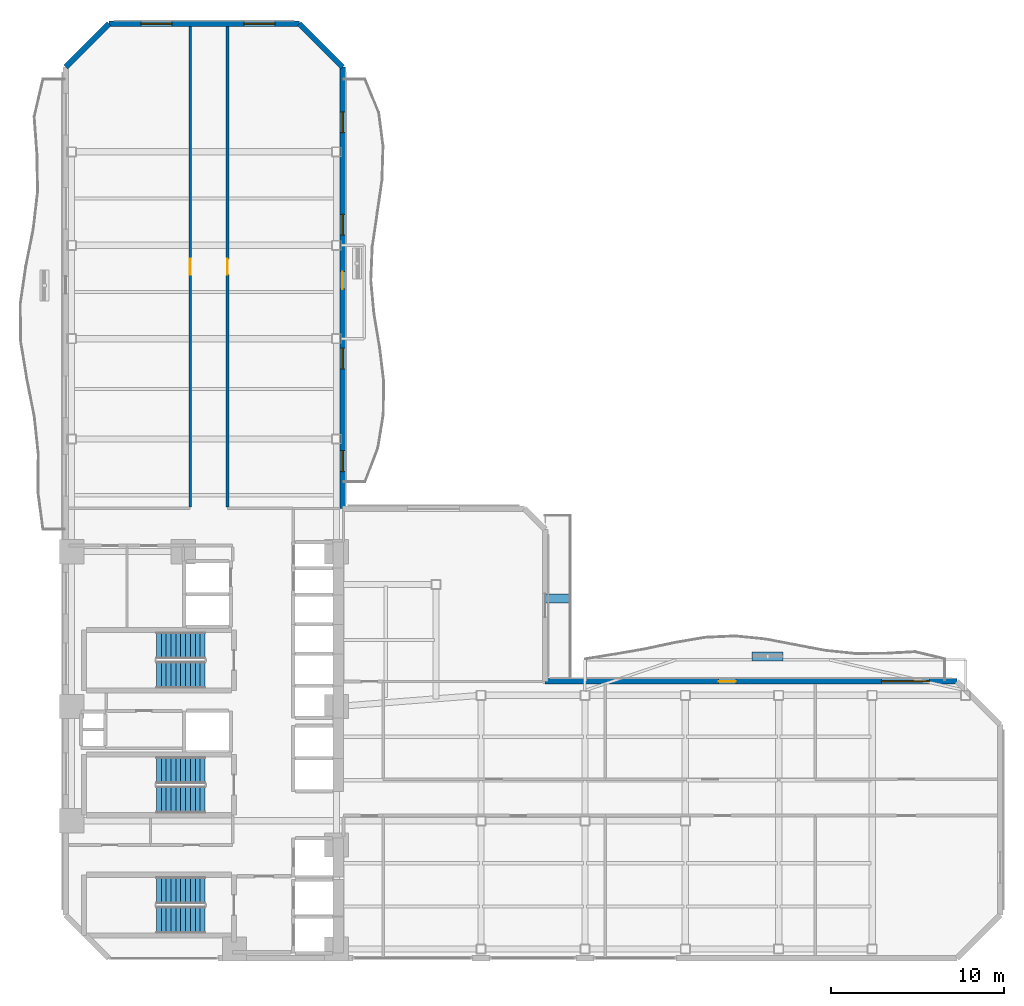
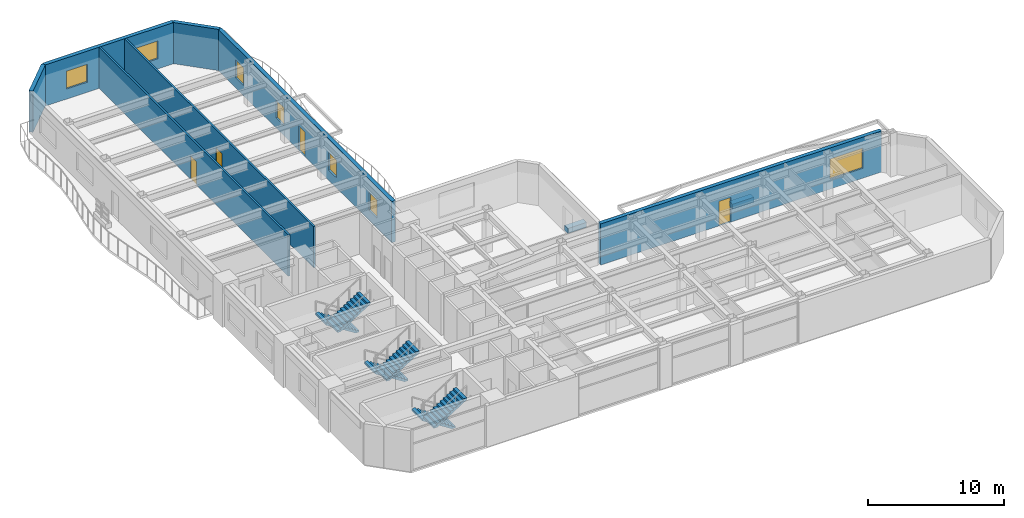
# One storey, part 12 of 17: 7 walls, 7 windows, 6 stair flights, 4 doors, 2 discrete accessories, 11 openings, 3 elements without a shape of their own.
"""IFC4 building model written with IfcOpenShell, lengths in metres."""

from ifc_helpers import new_model, si_unit, direction, frame, frame_2d, origin, origin_2d, place, context, subcontext, project, spatial, polyline, rectangle, outline, extrude, material, layer, layer_set, type_object, element, fill, aggregate, save


model = new_model("IFC4")

# Units and contexts
model_context = context("Model", 3, precision=1e-05, world=origin(), true_north=direction((0.0, 1.0)))
body_context = subcontext(model_context, "Body", "Model", "MODEL_VIEW")
ifc_project = project(units=[si_unit("LENGTHUNIT", "METRE"), si_unit("AREAUNIT", "SQUARE_METRE"), si_unit("VOLUMEUNIT", "CUBIC_METRE"), si_unit("PLANEANGLEUNIT", "RADIAN"), si_unit("MASSUNIT", "GRAM", prefix="KILO")], contexts=[model_context])

# Site, building, storey
site_placement = place(None, origin())
site = spatial("IfcSite", under=ifc_project, at=site_placement, CompositionType="ELEMENT")
building_placement = place(site_placement, origin())
building = spatial("IfcBuilding", under=site, at=building_placement, Name="Mawjaban Terraces University", CompositionType="ELEMENT")
storey_placement = place(building_placement, frame((0.0, 0.0, 70.0)))
storey = spatial("IfcBuildingStorey", under=building, at=storey_placement, Name="L16", CompositionType="ELEMENT", Elevation=70.0)

# Wall, opening, door
ifc_material_1 = material(Name="Fire-rated gypsum board on steel stud", Category="steel")
ifc_layer_1 = layer(ifc_material_1, 0.159912109375)
ifc_layer_set_1 = layer_set([ifc_layer_1], Name="Fire-rated gypsum board on steel stud")
wall_type_1 = type_object("IfcWallType", Name="CorridorPartition_160", PredefinedType="PARTITIONING", material=ifc_layer_set_1)
wall_1_placement = place(storey_placement, frame((29.199951171875, 53.844970703125, 0.0), z_axis=(0.0, 0.0, 1.0), x_axis=(0.0, -1.0, 0.0)))
wall_1 = element("IfcWall", 1, at=wall_1_placement, inside=storey, type_object=wall_type_1, Name="L16 North Academic Spine Corridor Partition 26", PredefinedType="PARTITIONING", context=body_context, shape_type="SweptSolid", body=[
    extrude(rectangle(XDim=27.77001953125, YDim=0.159912109375, at=frame_2d((13.885009765625, 0.0))), origin(), (0.0, 0.0, 1.0), 3.68994140625),
])
opening_1_placement = place(wall_1_placement, frame((13.43505859375, 0.0, 0.0)))
opening_1 = element("IfcOpeningElement", 2, at=opening_1_placement, cuts=wall_1, Name="Opening ID-090", PredefinedType="OPENING", context=body_context, shape_type="SweptSolid", body=[
    extrude(rectangle(XDim=0.89990234375, YDim=2.10009765625, at=frame_2d((0.449951171875, 1.050048828125))), frame((0.0, 0.08984375, 0.0), z_axis=(0.0, -1.0, 0.0), x_axis=(1.0, 0.0, 0.0)), (0.0, 0.0, 1.0), 0.179931640625),
])
ifc_material_2 = material(Name="Powder-coated steel frame and solid acoustic timber leaf", Category="steel")
door_type_1 = type_object("IfcDoorType", Name="OfficeDoor_900x2100", OperationType="NOTDEFINED", PredefinedType="DOOR", material=ifc_material_2)
door_1_placement = place(opening_1_placement, origin())
door_1 = element("IfcDoor", 3, at=door_1_placement, inside=storey, type_object=door_type_1, Name="L16 Collaborative Study Room 8 Door", OperationType="SINGLE_SWING_LEFT", OverallHeight=2.10009765625, OverallWidth=0.89990234375, PredefinedType="DOOR", context=body_context, shape_type="SweptSolid", body=[
    extrude(rectangle(XDim=0.89990234375, YDim=2.10009765625, at=frame_2d((0.449951171875, 1.050048828125))), frame((0.0, 0.02490234375, 0.0), z_axis=(0.0, -1.0, 0.0), x_axis=(1.0, 0.0, 0.0)), (0.0, 0.0, 1.0), 0.050048828125),
])
fill(opening_1, door_1)

wall_2_placement = place(storey_placement, frame((31.35009765625, 26.074951171875, 0.0), z_axis=(0.0, 0.0, 1.0), x_axis=(0.0, 1.0, 0.0)))
wall_2 = element("IfcWall", 4, at=wall_2_placement, inside=storey, type_object=wall_type_1, Name="L16 North Academic Spine Corridor Partition 27", PredefinedType="PARTITIONING", context=body_context, shape_type="SweptSolid", body=[
    extrude(rectangle(XDim=27.77001953125, YDim=0.159912109375, at=frame_2d((13.885009765625, 0.0))), origin(), (0.0, 0.0, 1.0), 3.68994140625),
])
opening_2_placement = place(wall_2_placement, frame((13.43505859375, 0.0, 0.0)))
opening_2 = element("IfcOpeningElement", 5, at=opening_2_placement, cuts=wall_2, Name="Opening ID-090", PredefinedType="OPENING", context=body_context, shape_type="SweptSolid", body=[
    extrude(rectangle(XDim=0.89990234375, YDim=2.10009765625, at=frame_2d((0.449951171875, 1.050048828125))), frame((0.0, 0.08984375, 0.0), z_axis=(0.0, -1.0, 0.0), x_axis=(1.0, 0.0, 0.0)), (0.0, 0.0, 1.0), 0.179931640625),
])
door_2_placement = place(opening_2_placement, origin())
door_2 = element("IfcDoor", 6, at=door_2_placement, inside=storey, type_object=door_type_1, Name="L16 Collaborative Study Room 9 Door", OperationType="SINGLE_SWING_RIGHT", OverallHeight=2.10009765625, OverallWidth=0.89990234375, PredefinedType="DOOR", context=body_context, shape_type="SweptSolid", body=[
    extrude(rectangle(XDim=0.89990234375, YDim=2.10009765625, at=frame_2d((0.449951171875, 1.050048828125))), frame((0.0, 0.02490234375, 0.0), z_axis=(0.0, -1.0, 0.0), x_axis=(1.0, 0.0, 0.0)), (0.0, 0.0, 1.0), 0.050048828125),
])
fill(opening_2, door_2)

# Wall, openings, door, window
ifc_material_3 = material(Name="Insulated terracotta rainscreen on concrete backup C40/50", Category="masonry")
ifc_layer_2 = layer(ifc_material_3, 0.320068359375)
ifc_layer_set_2 = layer_set([ifc_layer_2], Name="Insulated terracotta rainscreen on concrete backup C40/50")
wall_type_2 = type_object("IfcWallType", Name="ExtTerracottaWall_320", PredefinedType="SOLIDWALL", material=ifc_layer_set_2)
wall_3_placement = place(storey_placement, frame((73.5, 16.0, 0.0), z_axis=(0.0, 0.0, 1.0), x_axis=(-1.0, 0.0, 0.0)))
wall_3 = element("IfcWall", 7, at=wall_3_placement, inside=storey, type_object=wall_type_2, Name="L16 Exterior Terracotta Wall 5", PredefinedType="SOLIDWALL", context=body_context, shape_type="SweptSolid", body=[
    extrude(rectangle(XDim=23.800048828125, YDim=0.320068359375, at=frame_2d((11.89990234375, 0.0))), origin(), (0.0, 0.0, 1.0), 3.68994140625),
])
opening_3_placement = place(wall_3_placement, frame((12.77490234375, 0.0, 0.0)))
opening_3 = element("IfcOpeningElement", 8, at=opening_3_placement, cuts=wall_3, Name="Opening BD-100", PredefinedType="OPENING", context=body_context, shape_type="SweptSolid", body=[
    extrude(rectangle(XDim=1.0, YDim=2.199951171875, at=frame_2d((0.5, 1.10009765625))), frame((0.0, 0.169921875, 0.0), z_axis=(0.0, -1.0, 0.0), x_axis=(1.0, 0.0, 0.0)), (0.0, 0.0, 1.0), 0.340087890625),
])
opening_4_placement = place(wall_3_placement, frame((1.574951171875, 0.0, 0.89990234375)))
opening_4 = element("IfcOpeningElement", 9, at=opening_4_placement, cuts=wall_3, Name="Opening W-09", PredefinedType="OPENING", context=body_context, shape_type="SweptSolid", body=[
    extrude(rectangle(XDim=2.800048828125, YDim=1.800048828125, at=frame_2d((1.39990234375, 0.89990234375))), frame((0.0, 0.169921875, 0.0), z_axis=(0.0, -1.0, 0.0), x_axis=(1.0, 0.0, 0.0)), (0.0, 0.0, 1.0), 0.340087890625),
])
ifc_material_4 = material(Name="Thermally broken anodised aluminium and laminated safety glass", Category="aluminium")
door_type_2 = type_object("IfcDoorType", Name="BalconyGlazedDoor_1000x2200", OperationType="NOTDEFINED", PredefinedType="DOOR", material=ifc_material_4)
door_3_placement = place(opening_3_placement, origin())
door_3 = element("IfcDoor", 10, at=door_3_placement, inside=storey, type_object=door_type_2, Name="L16 Balcony Access Door inner_north", OperationType="SINGLE_SWING_LEFT", OverallHeight=2.199951171875, OverallWidth=1.0, PredefinedType="DOOR", context=body_context, shape_type="SweptSolid", body=[
    extrude(rectangle(XDim=1.0, YDim=2.199951171875, at=frame_2d((0.5, 1.10009765625))), frame((0.0, 0.02490234375, 0.0), z_axis=(0.0, -1.0, 0.0), x_axis=(1.0, 0.0, 0.0)), (0.0, 0.0, 1.0), 0.050048828125),
])
fill(opening_3, door_3)
ifc_material_5 = material(Name="Low-E solar-control double glazing in thermally broken aluminium frame", Category="aluminium")
window_type_1 = type_object("IfcWindowType", Name="Win_2800x1800", PartitioningType="SINGLE_PANEL", PredefinedType="WINDOW", material=ifc_material_5)
window_1_placement = place(opening_4_placement, origin())
window_1 = element("IfcWindow", 11, at=window_1_placement, inside=storey, type_object=window_type_1, Name="L16 Facade Window 5.1", OverallHeight=1.800048828125, OverallWidth=2.800048828125, PartitioningType="SINGLE_PANEL", PredefinedType="WINDOW", context=body_context, shape_type="SweptSolid", body=[
    extrude(rectangle(XDim=2.800048828125, YDim=1.800048828125, at=frame_2d((1.39990234375, 0.89990234375))), frame((0.0, 0.030029296875, 0.0), z_axis=(0.0, -1.0, 0.0), x_axis=(1.0, 0.0, 0.0)), (0.0, 0.0, 1.0), 0.06005859375),
])
fill(opening_4, window_1)

# Wall, openings, door, windows
wall_4_placement = place(storey_placement, frame((38.0, 25.989990234375, 0.0), z_axis=(0.0, 0.0, 1.0), x_axis=(0.0, 1.0, 0.0)))
wall_4 = element("IfcWall", 12, at=wall_4_placement, inside=storey, type_object=wall_type_2, Name="L16 Exterior Terracotta Wall 9", PredefinedType="SOLIDWALL", context=body_context, shape_type="SweptSolid", body=[
    extrude(rectangle(XDim=25.510009765625, YDim=0.320068359375, at=frame_2d((12.7548828125, 0.0))), origin(), (0.0, 0.0, 1.0), 3.68994140625),
])
opening_5_placement = place(wall_4_placement, frame((12.680908203125, 0.0, 0.0)))
opening_5 = element("IfcOpeningElement", 13, at=opening_5_placement, cuts=wall_4, Name="Opening BD-100", PredefinedType="OPENING", context=body_context, shape_type="SweptSolid", body=[
    extrude(rectangle(XDim=1.0, YDim=2.199951171875, at=frame_2d((0.5, 1.10009765625))), frame((0.0, 0.169921875, 0.0), z_axis=(0.0, -1.0, 0.0), x_axis=(1.0, 0.0, 0.0)), (0.0, 0.0, 1.0), 0.340087890625),
])
opening_6_placement = place(wall_4_placement, frame((2.138916015625, 0.0, 0.89990234375)))
opening_6 = element("IfcOpeningElement", 14, at=opening_6_placement, cuts=wall_4, Name="Opening W-01", PredefinedType="OPENING", context=body_context, shape_type="SweptSolid", body=[
    extrude(rectangle(XDim=1.199951171875, YDim=1.60009765625, at=frame_2d((0.60009765625, 0.800048828125))), frame((0.0, 0.169921875, 0.0), z_axis=(0.0, -1.0, 0.0), x_axis=(1.0, 0.0, 0.0)), (0.0, 0.0, 1.0), 0.340087890625),
])
opening_7_placement = place(wall_4_placement, frame((8.06591796875, 0.0, 0.89990234375)))
opening_7 = element("IfcOpeningElement", 15, at=opening_7_placement, cuts=wall_4, Name="Opening W-01", PredefinedType="OPENING", context=body_context, shape_type="SweptSolid", body=[
    extrude(rectangle(XDim=1.199951171875, YDim=1.60009765625, at=frame_2d((0.60009765625, 0.800048828125))), frame((0.0, 0.169921875, 0.0), z_axis=(0.0, -1.0, 0.0), x_axis=(1.0, 0.0, 0.0)), (0.0, 0.0, 1.0), 0.340087890625),
])
opening_8_placement = place(wall_4_placement, frame((15.7939453125, 0.0, 0.89990234375)))
opening_8 = element("IfcOpeningElement", 16, at=opening_8_placement, cuts=wall_4, Name="Opening W-01", PredefinedType="OPENING", context=body_context, shape_type="SweptSolid", body=[
    extrude(rectangle(XDim=1.199951171875, YDim=1.60009765625, at=frame_2d((0.60009765625, 0.800048828125))), frame((0.0, 0.169921875, 0.0), z_axis=(0.0, -1.0, 0.0), x_axis=(1.0, 0.0, 0.0)), (0.0, 0.0, 1.0), 0.340087890625),
])
opening_9_placement = place(wall_4_placement, frame((21.720947265625, 0.0, 0.89990234375)))
opening_9 = element("IfcOpeningElement", 17, at=opening_9_placement, cuts=wall_4, Name="Opening W-01", PredefinedType="OPENING", context=body_context, shape_type="SweptSolid", body=[
    extrude(rectangle(XDim=1.199951171875, YDim=1.60009765625, at=frame_2d((0.60009765625, 0.800048828125))), frame((0.0, 0.169921875, 0.0), z_axis=(0.0, -1.0, 0.0), x_axis=(1.0, 0.0, 0.0)), (0.0, 0.0, 1.0), 0.340087890625),
])
door_4_placement = place(opening_5_placement, origin())
door_4 = element("IfcDoor", 18, at=door_4_placement, inside=storey, type_object=door_type_2, Name="L16 Balcony Access Door inner_east", OperationType="SINGLE_SWING_LEFT", OverallHeight=2.199951171875, OverallWidth=1.0, PredefinedType="DOOR", context=body_context, shape_type="SweptSolid", body=[
    extrude(rectangle(XDim=1.0, YDim=2.199951171875, at=frame_2d((0.5, 1.10009765625))), frame((0.0, 0.02490234375, 0.0), z_axis=(0.0, -1.0, 0.0), x_axis=(1.0, 0.0, 0.0)), (0.0, 0.0, 1.0), 0.050048828125),
])
fill(opening_5, door_4)
window_type_2 = type_object("IfcWindowType", Name="Win_1200x1600", PartitioningType="SINGLE_PANEL", PredefinedType="WINDOW", material=ifc_material_5)
window_2_placement = place(opening_6_placement, origin())
window_2 = element("IfcWindow", 19, at=window_2_placement, inside=storey, type_object=window_type_2, Name="L16 Facade Window 9.1", OverallHeight=1.60009765625, OverallWidth=1.199951171875, PartitioningType="SINGLE_PANEL", PredefinedType="WINDOW", context=body_context, shape_type="SweptSolid", body=[
    extrude(rectangle(XDim=1.199951171875, YDim=1.60009765625, at=frame_2d((0.60009765625, 0.800048828125))), frame((0.0, 0.030029296875, 0.0), z_axis=(0.0, -1.0, 0.0), x_axis=(1.0, 0.0, 0.0)), (0.0, 0.0, 1.0), 0.06005859375),
])
fill(opening_6, window_2)
window_3_placement = place(opening_7_placement, origin())
window_3 = element("IfcWindow", 20, at=window_3_placement, inside=storey, type_object=window_type_2, Name="L16 Facade Window 9.2", OverallHeight=1.60009765625, OverallWidth=1.199951171875, PartitioningType="SINGLE_PANEL", PredefinedType="WINDOW", context=body_context, shape_type="SweptSolid", body=[
    extrude(rectangle(XDim=1.199951171875, YDim=1.60009765625, at=frame_2d((0.60009765625, 0.800048828125))), frame((0.0, 0.030029296875, 0.0), z_axis=(0.0, -1.0, 0.0), x_axis=(1.0, 0.0, 0.0)), (0.0, 0.0, 1.0), 0.06005859375),
])
fill(opening_7, window_3)
window_4_placement = place(opening_8_placement, origin())
window_4 = element("IfcWindow", 21, at=window_4_placement, inside=storey, type_object=window_type_2, Name="L16 Facade Window 9.3", OverallHeight=1.60009765625, OverallWidth=1.199951171875, PartitioningType="SINGLE_PANEL", PredefinedType="WINDOW", context=body_context, shape_type="SweptSolid", body=[
    extrude(rectangle(XDim=1.199951171875, YDim=1.60009765625, at=frame_2d((0.60009765625, 0.800048828125))), frame((0.0, 0.030029296875, 0.0), z_axis=(0.0, -1.0, 0.0), x_axis=(1.0, 0.0, 0.0)), (0.0, 0.0, 1.0), 0.06005859375),
])
fill(opening_8, window_4)
window_5_placement = place(opening_9_placement, origin())
window_5 = element("IfcWindow", 22, at=window_5_placement, inside=storey, type_object=window_type_2, Name="L16 Facade Window 9.4", OverallHeight=1.60009765625, OverallWidth=1.199951171875, PartitioningType="SINGLE_PANEL", PredefinedType="WINDOW", context=body_context, shape_type="SweptSolid", body=[
    extrude(rectangle(XDim=1.199951171875, YDim=1.60009765625, at=frame_2d((0.60009765625, 0.800048828125))), frame((0.0, 0.030029296875, 0.0), z_axis=(0.0, -1.0, 0.0), x_axis=(1.0, 0.0, 0.0)), (0.0, 0.0, 1.0), 0.06005859375),
])
fill(opening_9, window_5)

# Wall
wall_5_placement = place(storey_placement, frame((38.0, 51.5, 0.0), z_axis=(0.0, 0.0, 1.0), x_axis=(-0.707106781187, 0.707106781187, 0.0)))
element("IfcWall", 23, at=wall_5_placement, inside=storey, type_object=wall_type_2, Name="L16 Exterior Terracotta Wall 10", PredefinedType="SOLIDWALL", context=body_context, shape_type="SweptSolid", body=[
    extrude(rectangle(XDim=3.53564453125, YDim=0.320068359375, at=frame_2d((1.767822265625, 0.0))), origin(), (0.0, 0.0, 1.0), 3.68994140625),
])

# Wall, openings, windows
wall_6_placement = place(storey_placement, frame((35.5, 54.0, 0.0), z_axis=(0.0, 0.0, 1.0), x_axis=(-1.0, 0.0, 0.0)))
wall_6 = element("IfcWall", 24, at=wall_6_placement, inside=storey, type_object=wall_type_2, Name="L16 Exterior Terracotta Wall 11", PredefinedType="SOLIDWALL", context=body_context, shape_type="SweptSolid", body=[
    extrude(rectangle(XDim=11.0, YDim=0.320068359375, at=frame_2d((5.5, 0.0))), origin(), (0.0, 0.0, 1.0), 3.68994140625),
])
opening_10_placement = place(wall_6_placement, frame((1.39990234375, 0.0, 0.89990234375)))
opening_10 = element("IfcOpeningElement", 25, at=opening_10_placement, cuts=wall_6, Name="Opening W-03", PredefinedType="OPENING", context=body_context, shape_type="SweptSolid", body=[
    extrude(rectangle(XDim=1.800048828125, YDim=1.60009765625, at=frame_2d((0.89990234375, 0.800048828125))), frame((0.0, 0.169921875, 0.0), z_axis=(0.0, -1.0, 0.0), x_axis=(1.0, 0.0, 0.0)), (0.0, 0.0, 1.0), 0.340087890625),
])
opening_11_placement = place(wall_6_placement, frame((7.35009765625, 0.0, 0.89990234375)))
opening_11 = element("IfcOpeningElement", 26, at=opening_11_placement, cuts=wall_6, Name="Opening W-03", PredefinedType="OPENING", context=body_context, shape_type="SweptSolid", body=[
    extrude(rectangle(XDim=1.800048828125, YDim=1.60009765625, at=frame_2d((0.89990234375, 0.800048828125))), frame((0.0, 0.169921875, 0.0), z_axis=(0.0, -1.0, 0.0), x_axis=(1.0, 0.0, 0.0)), (0.0, 0.0, 1.0), 0.340087890625),
])
window_type_3 = type_object("IfcWindowType", Name="Win_1800x1600", PartitioningType="SINGLE_PANEL", PredefinedType="WINDOW", material=ifc_material_5)
window_6_placement = place(opening_10_placement, origin())
window_6 = element("IfcWindow", 27, at=window_6_placement, inside=storey, type_object=window_type_3, Name="L16 Facade Window 11.1", OverallHeight=1.60009765625, OverallWidth=1.800048828125, PartitioningType="SINGLE_PANEL", PredefinedType="WINDOW", context=body_context, shape_type="SweptSolid", body=[
    extrude(rectangle(XDim=1.800048828125, YDim=1.60009765625, at=frame_2d((0.89990234375, 0.800048828125))), frame((0.0, 0.030029296875, 0.0), z_axis=(0.0, -1.0, 0.0), x_axis=(1.0, 0.0, 0.0)), (0.0, 0.0, 1.0), 0.06005859375),
])
fill(opening_10, window_6)
window_7_placement = place(opening_11_placement, origin())
window_7 = element("IfcWindow", 28, at=window_7_placement, inside=storey, type_object=window_type_3, Name="L16 Facade Window 11.2", OverallHeight=1.60009765625, OverallWidth=1.800048828125, PartitioningType="SINGLE_PANEL", PredefinedType="WINDOW", context=body_context, shape_type="SweptSolid", body=[
    extrude(rectangle(XDim=1.800048828125, YDim=1.60009765625, at=frame_2d((0.89990234375, 0.800048828125))), frame((0.0, 0.030029296875, 0.0), z_axis=(0.0, -1.0, 0.0), x_axis=(1.0, 0.0, 0.0)), (0.0, 0.0, 1.0), 0.06005859375),
])
fill(opening_11, window_7)

# Wall
wall_7_placement = place(storey_placement, frame((24.5, 54.0, 0.0), z_axis=(0.0, 0.0, 1.0), x_axis=(-0.707106781187, -0.707106781187, 0.0)))
element("IfcWall", 29, at=wall_7_placement, inside=storey, type_object=wall_type_2, Name="L16 Exterior Terracotta Wall 12", PredefinedType="SOLIDWALL", context=body_context, shape_type="SweptSolid", body=[
    extrude(rectangle(XDim=3.53564453125, YDim=0.320068359375, at=frame_2d((1.767822265625, 0.0))), origin(), (0.0, 0.0, 1.0), 3.68994140625),
])

# Stair, stair flights
ifc_material_6 = material(Name="Concrete C40/50", Category="concrete")
stair_type = type_object("IfcStairType", Name="Stair_Core1550_H39", PredefinedType="HALF_TURN_STAIR", material=ifc_material_6)
stair_1_placement = place(storey_placement, origin())
stair_1 = element("IfcStair", 30, at=stair_1_placement, inside=storey, type_object=stair_type, Name="L16 Core Exit Stair 1", PredefinedType="HALF_TURN_STAIR")
stair_flight_type = type_object("IfcStairFlightType", Name="Flight_Core1550_H39", PredefinedType="STRAIGHT", material=ifc_material_6)
stair_flight_1_placement = place(storey_placement, frame((30.050048828125, 3.925048828125, 0.0), z_axis=(0.0, 0.0, 1.0), x_axis=(-1.0, 0.0, 0.0)))
stair_flight_1 = element("IfcStairFlight", 31, at=stair_flight_1_placement, type_object=stair_flight_type, Name="ST-1 flight 1", NumberOfRisers=11, NumberOfTreads=10, PredefinedType="STRAIGHT", RiserHeight=0.177272727, TreadLength=0.28, context=body_context, shape_type="SweptSolid", body=[
    extrude(outline(polyline([(0.0, 0.0), (0.0, 0.17724609375), (0.280029296875, 0.17724609375), (0.280029296875, 0.3544921875), (0.56005859375, 0.3544921875), (0.56005859375, 0.53173828125), (0.840087890625, 0.53173828125), (0.840087890625, 0.708984375), (1.1201171875, 0.708984375), (1.1201171875, 0.886474609375), (1.39990234375, 0.886474609375), (1.39990234375, 1.063720703125), (1.679931640625, 1.063720703125), (1.679931640625, 1.240966796875), (1.9599609375, 1.240966796875), (1.9599609375, 1.418212890625), (2.239990234375, 1.418212890625), (2.239990234375, 1.595458984375), (2.52001953125, 1.595458984375), (2.52001953125, 1.772705078125), (2.800048828125, 1.772705078125), (2.800048828125, 1.949951171875), (2.800048828125, 1.59521484375), (0.2802734375, 0.0), (0.0, 0.0)])), frame((0.0, 0.77490234375, 0.0), z_axis=(0.0, -1.0, 0.0), x_axis=(1.0, 0.0, 0.0)), (0.0, 0.0, 1.0), 1.550048828125),
])
stair_flight_2_placement = place(storey_placement, frame((27.25, 2.22509765625, 1.949951171875), z_axis=(0.0, 0.0, 1.0), x_axis=(1.0, 0.0, 0.0)))
stair_flight_2 = element("IfcStairFlight", 32, at=stair_flight_2_placement, type_object=stair_flight_type, Name="ST-1 flight 2", NumberOfRisers=11, NumberOfTreads=10, PredefinedType="STRAIGHT", RiserHeight=0.177272727, TreadLength=0.28, context=body_context, shape_type="SweptSolid", body=[
    extrude(outline(polyline([(0.0, 0.0), (0.0, 0.17724609375), (0.280029296875, 0.17724609375), (0.280029296875, 0.3544921875), (0.56005859375, 0.3544921875), (0.56005859375, 0.53173828125), (0.840087890625, 0.53173828125), (0.840087890625, 0.708984375), (1.1201171875, 0.708984375), (1.1201171875, 0.886474609375), (1.39990234375, 0.886474609375), (1.39990234375, 1.063720703125), (1.679931640625, 1.063720703125), (1.679931640625, 1.240966796875), (1.9599609375, 1.240966796875), (1.9599609375, 1.418212890625), (2.239990234375, 1.418212890625), (2.239990234375, 1.595458984375), (2.52001953125, 1.595458984375), (2.52001953125, 1.772705078125), (2.800048828125, 1.772705078125), (2.800048828125, 1.949951171875), (2.800048828125, 1.59521484375), (0.2802734375, 0.0), (0.0, 0.0)])), frame((0.0, 0.77490234375, 0.0), z_axis=(0.0, -1.0, 0.0), x_axis=(1.0, 0.0, 0.0)), (0.0, 0.0, 1.0), 1.550048828125),
])
aggregate(stair_1, [stair_flight_1, stair_flight_2])

stair_2_placement = place(storey_placement, origin())
stair_2 = element("IfcStair", 33, at=stair_2_placement, inside=storey, type_object=stair_type, Name="L16 Core Exit Stair 2", PredefinedType="HALF_TURN_STAIR")
stair_flight_3_placement = place(storey_placement, frame((30.050048828125, 18.074951171875, 0.0), z_axis=(0.0, 0.0, 1.0), x_axis=(-1.0, 0.0, 0.0)))
stair_flight_3 = element("IfcStairFlight", 34, at=stair_flight_3_placement, type_object=stair_flight_type, Name="ST-2 flight 1", NumberOfRisers=11, NumberOfTreads=10, PredefinedType="STRAIGHT", RiserHeight=0.177272727, TreadLength=0.28, context=body_context, shape_type="SweptSolid", body=[
    extrude(outline(polyline([(0.0, 0.0), (0.0, 0.17724609375), (0.280029296875, 0.17724609375), (0.280029296875, 0.3544921875), (0.56005859375, 0.3544921875), (0.56005859375, 0.53173828125), (0.840087890625, 0.53173828125), (0.840087890625, 0.708984375), (1.1201171875, 0.708984375), (1.1201171875, 0.886474609375), (1.39990234375, 0.886474609375), (1.39990234375, 1.063720703125), (1.679931640625, 1.063720703125), (1.679931640625, 1.240966796875), (1.9599609375, 1.240966796875), (1.9599609375, 1.418212890625), (2.239990234375, 1.418212890625), (2.239990234375, 1.595458984375), (2.52001953125, 1.595458984375), (2.52001953125, 1.772705078125), (2.800048828125, 1.772705078125), (2.800048828125, 1.949951171875), (2.800048828125, 1.59521484375), (0.2802734375, 0.0), (0.0, 0.0)])), frame((0.0, 0.77490234375, 0.0), z_axis=(0.0, -1.0, 0.0), x_axis=(1.0, 0.0, 0.0)), (0.0, 0.0, 1.0), 1.550048828125),
])
stair_flight_4_placement = place(storey_placement, frame((27.25, 16.375, 1.949951171875), z_axis=(0.0, 0.0, 1.0), x_axis=(1.0, 0.0, 0.0)))
stair_flight_4 = element("IfcStairFlight", 35, at=stair_flight_4_placement, type_object=stair_flight_type, Name="ST-2 flight 2", NumberOfRisers=11, NumberOfTreads=10, PredefinedType="STRAIGHT", RiserHeight=0.177272727, TreadLength=0.28, context=body_context, shape_type="SweptSolid", body=[
    extrude(outline(polyline([(0.0, 0.0), (0.0, 0.17724609375), (0.280029296875, 0.17724609375), (0.280029296875, 0.3544921875), (0.56005859375, 0.3544921875), (0.56005859375, 0.53173828125), (0.840087890625, 0.53173828125), (0.840087890625, 0.708984375), (1.1201171875, 0.708984375), (1.1201171875, 0.886474609375), (1.39990234375, 0.886474609375), (1.39990234375, 1.063720703125), (1.679931640625, 1.063720703125), (1.679931640625, 1.240966796875), (1.9599609375, 1.240966796875), (1.9599609375, 1.418212890625), (2.239990234375, 1.418212890625), (2.239990234375, 1.595458984375), (2.52001953125, 1.595458984375), (2.52001953125, 1.772705078125), (2.800048828125, 1.772705078125), (2.800048828125, 1.949951171875), (2.800048828125, 1.59521484375), (0.2802734375, 0.0), (0.0, 0.0)])), frame((0.0, 0.77490234375, 0.0), z_axis=(0.0, -1.0, 0.0), x_axis=(1.0, 0.0, 0.0)), (0.0, 0.0, 1.0), 1.550048828125),
])
aggregate(stair_2, [stair_flight_3, stair_flight_4])

stair_3_placement = place(storey_placement, origin())
stair_3 = element("IfcStair", 36, at=stair_3_placement, inside=storey, type_object=stair_type, Name="L16 Core Exit Stair 3", PredefinedType="HALF_TURN_STAIR")
stair_flight_5_placement = place(storey_placement, frame((30.050048828125, 10.875, 0.0), z_axis=(0.0, 0.0, 1.0), x_axis=(-1.0, 0.0, 0.0)))
stair_flight_5 = element("IfcStairFlight", 37, at=stair_flight_5_placement, type_object=stair_flight_type, Name="ST-3 flight 1", NumberOfRisers=11, NumberOfTreads=10, PredefinedType="STRAIGHT", RiserHeight=0.177272727, TreadLength=0.28, context=body_context, shape_type="SweptSolid", body=[
    extrude(outline(polyline([(0.0, 0.0), (0.0, 0.17724609375), (0.280029296875, 0.17724609375), (0.280029296875, 0.3544921875), (0.56005859375, 0.3544921875), (0.56005859375, 0.53173828125), (0.840087890625, 0.53173828125), (0.840087890625, 0.708984375), (1.1201171875, 0.708984375), (1.1201171875, 0.886474609375), (1.39990234375, 0.886474609375), (1.39990234375, 1.063720703125), (1.679931640625, 1.063720703125), (1.679931640625, 1.240966796875), (1.9599609375, 1.240966796875), (1.9599609375, 1.418212890625), (2.239990234375, 1.418212890625), (2.239990234375, 1.595458984375), (2.52001953125, 1.595458984375), (2.52001953125, 1.772705078125), (2.800048828125, 1.772705078125), (2.800048828125, 1.949951171875), (2.800048828125, 1.59521484375), (0.2802734375, 0.0), (0.0, 0.0)])), frame((0.0, 0.77490234375, 0.0), z_axis=(0.0, -1.0, 0.0), x_axis=(1.0, 0.0, 0.0)), (0.0, 0.0, 1.0), 1.550048828125),
])
stair_flight_6_placement = place(storey_placement, frame((27.25, 9.175048828125, 1.949951171875), z_axis=(0.0, 0.0, 1.0), x_axis=(1.0, 0.0, 0.0)))
stair_flight_6 = element("IfcStairFlight", 38, at=stair_flight_6_placement, type_object=stair_flight_type, Name="ST-3 flight 2", NumberOfRisers=11, NumberOfTreads=10, PredefinedType="STRAIGHT", RiserHeight=0.177272727, TreadLength=0.28, context=body_context, shape_type="SweptSolid", body=[
    extrude(outline(polyline([(0.0, 0.0), (0.0, 0.17724609375), (0.280029296875, 0.17724609375), (0.280029296875, 0.3544921875), (0.56005859375, 0.3544921875), (0.56005859375, 0.53173828125), (0.840087890625, 0.53173828125), (0.840087890625, 0.708984375), (1.1201171875, 0.708984375), (1.1201171875, 0.886474609375), (1.39990234375, 0.886474609375), (1.39990234375, 1.063720703125), (1.679931640625, 1.063720703125), (1.679931640625, 1.240966796875), (1.9599609375, 1.240966796875), (1.9599609375, 1.418212890625), (2.239990234375, 1.418212890625), (2.239990234375, 1.595458984375), (2.52001953125, 1.595458984375), (2.52001953125, 1.772705078125), (2.800048828125, 1.772705078125), (2.800048828125, 1.949951171875), (2.800048828125, 1.59521484375), (0.2802734375, 0.0), (0.0, 0.0)])), frame((0.0, 0.77490234375, 0.0), z_axis=(0.0, -1.0, 0.0), x_axis=(1.0, 0.0, 0.0)), (0.0, 0.0, 1.0), 1.550048828125),
])
aggregate(stair_3, [stair_flight_5, stair_flight_6])

# Discrete accessories
ifc_material_7 = material(Name="Precast architectural terracotta planter with engineered planting soil", Category="masonry")
discrete_accessory_type = type_object("IfcDiscreteAccessoryType", Name="IrrigatedPlanterTrough_450", PredefinedType="USERDEFINED", material=ifc_material_7)
discrete_accessory_1_placement = place(storey_placement, frame((62.56005859375, 17.43994140625, -0.0048828125), z_axis=(0.0, 0.0, 1.0), x_axis=(1.0, 0.0, 0.0)))
element("IfcDiscreteAccessory", 39, at=discrete_accessory_1_placement, inside=storey, type_object=discrete_accessory_type, Name="L16 Balcony Irrigated Planter inner_north", ObjectType="PLANTER", PredefinedType="USERDEFINED", context=body_context, shape_type="SweptSolid", body=[
    extrude(rectangle(XDim=1.800048828125, YDim=0.5, at=origin_2d()), origin(), (0.0, 0.0, 1.0), 0.449951171875),
])
discrete_accessory_2_placement = place(storey_placement, frame((50.425048828125, 20.794921875, -0.0048828125), z_axis=(0.0, 0.0, 1.0), x_axis=(1.0, 0.0, 0.0)))
element("IfcDiscreteAccessory", 40, at=discrete_accessory_2_placement, inside=storey, type_object=discrete_accessory_type, Name="L16 Terrace Planter TER-L16-CLIMB", ObjectType="PLANTER", PredefinedType="USERDEFINED", context=body_context, shape_type="SweptSolid", body=[
    extrude(rectangle(XDim=1.60009765625, YDim=0.5, at=origin_2d()), origin(), (0.0, 0.0, 1.0), 0.449951171875),
])

save(model, "model.ifc")
